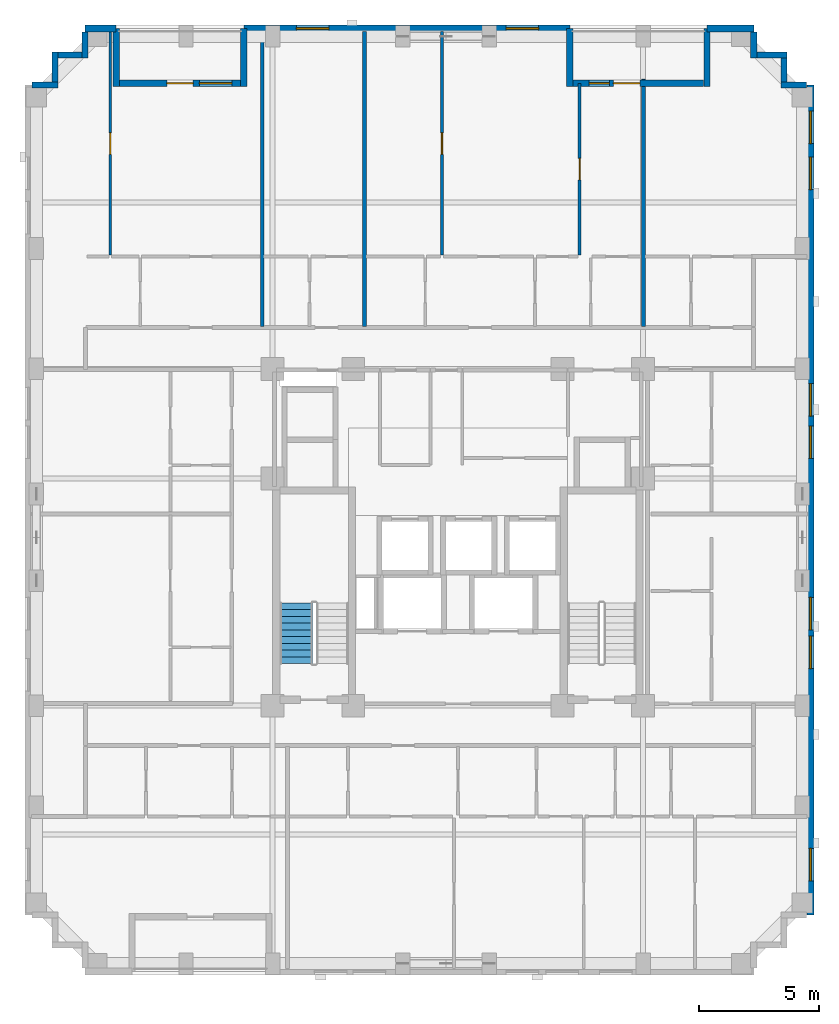
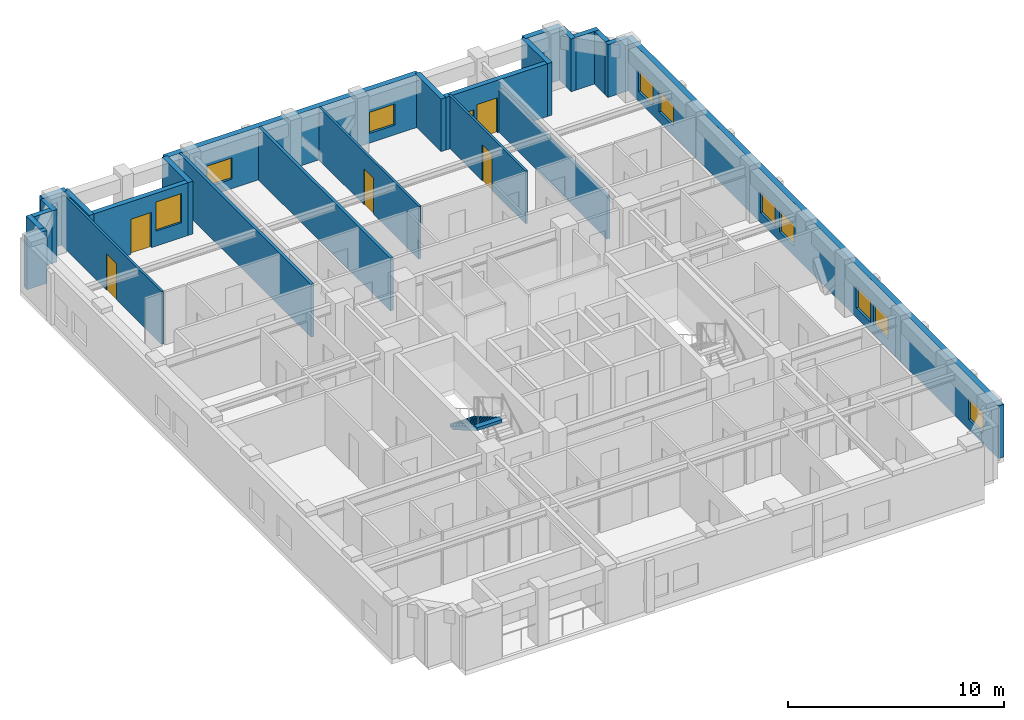
# One storey, part 7 of 11: 24 walls, 11 windows, 5 doors, 1 stair flight, 16 openings, 1 element without a shape of its own.
"""IFC4 building model written with IfcOpenShell, lengths in metres."""

import ifcopenshell
import ifcopenshell.guid

model = None  # the IFC model being written
_history = None  # IfcOwnerHistory: only IFC2X3 demands one
_inside = {}  # id of a spatial element -> (the spatial element, [elements in it])
_under = {}  # id of a project, library or spatial element -> (it, [spatial elements below it])
_declared = {}  # id of a project -> (the project, [libraries it declares])
_typed = {}  # id of a type object -> (the type object, [elements of that type])
_made_of = {}  # id of a material, layer set ... -> (it, [elements and type objects made of it])


def new_model(schema):
    """Start an empty IFC model of exactly this schema.

    Asked for "IFC4X3", IfcOpenShell would pick the latest addendum, in which some entities
    have other attributes; the version numbers below select the first issue.
    IFC2X3 requires an IfcOwnerHistory on every rooted entity: one is made here for all.
    """
    global model, _history
    if schema == "IFC4X3":
        model = ifcopenshell.file(schema_version=(4, 3, 0, 0))
    else:
        model = ifcopenshell.file(schema=schema)
    _inside.clear()
    _under.clear()
    _declared.clear()
    _typed.clear()
    _made_of.clear()
    _history = None
    if model.schema == "IFC2X3":
        org = make("IfcOrganization", Name="unknown")
        user = make(
            "IfcPersonAndOrganization",
            ThePerson=make("IfcPerson", FamilyName="unknown"),
            TheOrganization=org,
        )
        app = make(
            "IfcApplication",
            ApplicationDeveloper=org,
            Version="unknown",
            ApplicationFullName="unknown",
            ApplicationIdentifier="unknown",
        )
        _history = make(
            "IfcOwnerHistory",
            OwningUser=user,
            OwningApplication=app,
            ChangeAction="ADDED",
            CreationDate=0,
        )
    return model


def make(cls, **values):
    """One entity of the class cls with the attributes given. An attribute that is None is left unset."""
    return model.create_entity(
        cls, **{name: value for name, value in values.items() if value is not None}
    )


def rooted(cls, **values):
    """An entity with a GlobalId (a new one), such as an element, a storey or a relation."""
    return make(cls, GlobalId=ifcopenshell.guid.new(), OwnerHistory=_history, **values)


def si_unit(unit_type, name, prefix=None):
    """IfcSIUnit, for example si_unit("LENGTHUNIT", "METRE", prefix="MILLI")."""
    return make("IfcSIUnit", UnitType=unit_type, Prefix=prefix, Name=name)


def derived_unit(unit_type, elements):
    """IfcDerivedUnit: a product of units, each with its exponent."""
    return make(
        "IfcDerivedUnit",
        Elements=[
            make("IfcDerivedUnitElement", Unit=unit, Exponent=power)
            for unit, power in elements
        ],
        UnitType=unit_type,
    )


def assignment(units):
    """IfcUnitAssignment: the units of a project."""
    return None if units is None else make("IfcUnitAssignment", Units=units)


def point(xyz):
    """IfcCartesianPoint."""
    return None if xyz is None else make("IfcCartesianPoint", Coordinates=xyz)


def direction(xyz):
    """IfcDirection."""
    return None if xyz is None else make("IfcDirection", DirectionRatios=xyz)


def frame(location, z_axis=None, x_axis=None):
    """IfcAxis2Placement3D, a coordinate frame: its origin and axes. An axis left out is left unset."""
    return make(
        "IfcAxis2Placement3D",
        Location=point(location),
        Axis=direction(z_axis),
        RefDirection=direction(x_axis),
    )


def frame_2d(location, x_axis=None):
    """IfcAxis2Placement2D, a coordinate frame in the plane: its origin and x axis."""
    return make(
        "IfcAxis2Placement2D", Location=point(location), RefDirection=direction(x_axis)
    )


def origin():
    """The frame at (0, 0, 0) with its axes left unset."""
    return frame((0.0, 0.0, 0.0))


def place(relative_to, where):
    """IfcLocalPlacement: puts the frame where relative to a parent placement (None: the world)."""
    return make(
        "IfcLocalPlacement", PlacementRelTo=relative_to, RelativePlacement=where
    )


def context(
    kind, dimensions, precision=None, world=None, true_north=None, identifier=None
):
    """IfcGeometricRepresentationContext, for example the 3D "Model" context."""
    return make(
        "IfcGeometricRepresentationContext",
        ContextIdentifier=identifier,
        ContextType=kind,
        CoordinateSpaceDimension=dimensions,
        Precision=precision,
        WorldCoordinateSystem=world,
        TrueNorth=true_north,
    )


def subcontext(parent, identifier, kind, view, scale=None):
    """IfcGeometricRepresentationSubContext, for example "Body" below "Model"."""
    return make(
        "IfcGeometricRepresentationSubContext",
        ContextIdentifier=identifier,
        ContextType=kind,
        ParentContext=parent,
        TargetScale=scale,
        TargetView=view,
    )


def project(units=None, contexts=None):
    """IfcProject with its units and contexts."""
    return rooted(
        "IfcProject",
        Name="project",
        RepresentationContexts=contexts,
        UnitsInContext=assignment(units),
    )


def spatial(cls, under=None, at=None, **own):
    """A site, building, storey or space (cls), placed at a placement, below another one or the project."""
    s = rooted(cls, ObjectPlacement=at, **own)
    if under is not None:
        _under.setdefault(under.id(), (under, []))[1].append(s)
    return s


def polyline(points):
    """IfcPolyline through the points."""
    return make("IfcPolyline", Points=[point(p) for p in points])


def profile(cls, at=None, kind="AREA", **sizes):
    """A parametric profile (cls). Its sizes go by their IFC names, for example OverallWidth=200.0."""
    return make(cls, ProfileType=kind, Position=at, **sizes)


def rectangle(**sizes):
    """IfcRectangleProfileDef."""
    return profile("IfcRectangleProfileDef", **sizes)


def outline(outer, holes=None, kind="AREA"):
    """IfcArbitraryClosedProfileDef: a profile drawn as a closed curve; with holes, ...WithVoids."""
    if holes is None:
        return make("IfcArbitraryClosedProfileDef", ProfileType=kind, OuterCurve=outer)
    return make(
        "IfcArbitraryProfileDefWithVoids",
        ProfileType=kind,
        OuterCurve=outer,
        InnerCurves=holes,
    )


def extrude(swept, where, along, depth):
    """IfcExtrudedAreaSolid: the profile swept, set in the frame where, extruded along a direction by depth."""
    return make(
        "IfcExtrudedAreaSolid",
        SweptArea=swept,
        Position=where,
        ExtrudedDirection=direction(along),
        Depth=depth,
    )


def shape(context_of_items, identifier, shape_type, items):
    """IfcShapeRepresentation: the items that make up one representation, for example the "Body"."""
    return make(
        "IfcShapeRepresentation",
        ContextOfItems=context_of_items,
        RepresentationIdentifier=identifier,
        RepresentationType=shape_type,
        Items=items,
    )


def material(Name=None, Category=None):
    """IfcMaterial."""
    return make("IfcMaterial", Name=Name, Category=Category)


def layer(
    of_material, thickness, ventilated=None, Name=None, Category=None, Priority=None
):
    """IfcMaterialLayer: one layer of a wall or slab, of a material (None: an air gap)."""
    return make(
        "IfcMaterialLayer",
        Material=of_material,
        LayerThickness=thickness,
        IsVentilated=ventilated,
        Name=Name,
        Category=Category,
        Priority=Priority,
    )


def layer_set(layers, Name=None):
    """IfcMaterialLayerSet."""
    return make("IfcMaterialLayerSet", MaterialLayers=layers, LayerSetName=Name)


def made_of(thing, what):
    """Note that an element or type object is made of a material, layer set ...; save() writes the relation."""
    if what is not None:
        _made_of.setdefault(what.id(), (what, []))[1].append(thing)
    return thing


def type_object(cls, material=None, **own):
    """A type object (cls), such as IfcWallType, which elements share."""
    return made_of(rooted(cls, **own), material)


def element(
    cls,
    number,
    at=None,
    inside=None,
    cuts=None,
    type_object=None,
    material=None,
    context=None,
    identifier="Body",
    shape_type=None,
    held_by="IfcProductDefinitionShape",
    body=None,
    shapes=None,
    **own,
):
    """One element of the class cls, such as IfcWall. Its Tag is "e" and its number.

    at: its placement. inside: the storey or other place that contains it. cuts: it is an
    opening in that element (IfcRelVoidsElement). A single representation is given by context,
    identifier, shape_type and body (its items); several are given by shapes. held_by: the class
    of the entity that holds the representations. save() writes the other relations.
    """
    e = rooted(cls, Tag="e%d" % number, ObjectPlacement=at, **own)
    if body is not None:
        shapes = [shape(context, identifier, shape_type, body)]
    if shapes is not None:
        e.Representation = make(held_by, Representations=shapes)
    if inside is not None:
        _inside.setdefault(inside.id(), (inside, []))[1].append(e)
    if cuts is not None:
        rooted(
            "IfcRelVoidsElement", RelatingBuildingElement=cuts, RelatedOpeningElement=e
        )
    if type_object is not None:
        _typed.setdefault(type_object.id(), (type_object, []))[1].append(e)
    return made_of(e, material)


def fill(opening, filler):
    """IfcRelFillsElement: the door or window that sits in an opening."""
    return rooted(
        "IfcRelFillsElement",
        RelatingOpeningElement=opening,
        RelatedBuildingElement=filler,
    )


def aggregate(whole, parts):
    """IfcRelAggregates: a whole, such as a stair, and the parts it consists of."""
    return rooted("IfcRelAggregates", RelatingObject=whole, RelatedObjects=parts)


def save(model, path):
    """Write the relations noted so far, then the file.

    IfcRelAggregates (storeys below a building ...), IfcRelContainedInSpatialStructure (elements
    in a storey), IfcRelDefinesByType, IfcRelAssociatesMaterial and IfcRelDeclares: one each for
    every whole, place, type object, material and project.
    """
    for whole, parts in _under.values():
        aggregate(whole, parts)
    for where, things in _inside.values():
        rooted(
            "IfcRelContainedInSpatialStructure",
            RelatedElements=things,
            RelatingStructure=where,
        )
    for kind, things in _typed.values():
        rooted("IfcRelDefinesByType", RelatedObjects=things, RelatingType=kind)
    for what, things in _made_of.values():
        rooted("IfcRelAssociatesMaterial", RelatedObjects=things, RelatingMaterial=what)
    for by, libraries in _declared.values():
        rooted("IfcRelDeclares", RelatingContext=by, RelatedDefinitions=libraries)
    model.write(path)


model = new_model("IFC4")

# Units and contexts
model_context = context("Model", 3, precision=1e-05, world=origin(), true_north=direction((0.0, 1.0)))
body_context = subcontext(model_context, "Body", "Model", "MODEL_VIEW")
ifc_project = project(units=[si_unit("LENGTHUNIT", "METRE"), si_unit("AREAUNIT", "SQUARE_METRE"), si_unit("VOLUMEUNIT", "CUBIC_METRE"), si_unit("PLANEANGLEUNIT", "RADIAN"), si_unit("MASSUNIT", "GRAM", prefix="KILO"), derived_unit("THERMALTRANSMITTANCEUNIT", [(si_unit("MASSUNIT", "GRAM", prefix="KILO"), 1), (si_unit("TIMEUNIT", "SECOND"), -3), (si_unit("THERMODYNAMICTEMPERATUREUNIT", "KELVIN"), -1)])], contexts=[model_context])

# Site, building, storey
site_placement = place(None, origin())
site = spatial("IfcSite", under=ifc_project, at=site_placement, CompositionType="ELEMENT")
building_placement = place(site_placement, origin())
building = spatial("IfcBuilding", under=site, at=building_placement, Name="Korrvale Station Residences", CompositionType="ELEMENT")
storey_placement = place(building_placement, frame((0.0, 0.0, 163.39990234375)))
storey = spatial("IfcBuildingStorey", under=building, at=storey_placement, Name="L47", CompositionType="ELEMENT", Elevation=163.39990234375)

# Wall
ifc_material_1 = material(Name="Precast concrete C45/55", Category="concrete")
ifc_layer_1 = layer(ifc_material_1, 0.260009765625, Name="Precast concrete C45/55")
ifc_layer_set_1 = layer_set([ifc_layer_1], Name="Precast concrete C45/55")
wall_type_1 = type_object("IfcWallType", Name="WAL-EXT-LOG260", PredefinedType="SOLIDWALL", material=ifc_layer_set_1)
wall_1_placement = place(storey_placement, frame((11.300048828125, 43.139892578125, 0.0), z_axis=(0.0, 0.0, 1.0), x_axis=(0.0, -1.0, 0.0)))
element("IfcWall", 1, at=wall_1_placement, inside=storey, type_object=wall_type_1, Name="L47 Recessed Loggia Wall BAL-L47-N2-L", PredefinedType="SOLIDWALL", context=body_context, shape_type="SweptSolid", body=[
    extrude(rectangle(XDim=2.39990234375, YDim=0.260009765625, at=frame_2d((1.199951171875, 0.0))), origin(), (0.0, 0.0, 1.0), 2.989990234375),
])

# Wall, openings, door, window
wall_2_placement = place(storey_placement, frame((11.43408203125, 40.8701171875, 0.0), z_axis=(0.0, 0.0, 1.0), x_axis=(1.0, 0.0, 0.0)))
wall_2 = element("IfcWall", 2, at=wall_2_placement, inside=storey, type_object=wall_type_1, Name="L47 Recessed Loggia Wall BAL-L47-N2-B", PredefinedType="SOLIDWALL", context=body_context, shape_type="SweptSolid", body=[
    extrude(rectangle(XDim=5.031982421875, YDim=0.260009765625, at=frame_2d((2.51611328125, 0.0))), origin(), (0.0, 0.0, 1.0), 2.989990234375),
])
opening_1_placement = place(wall_2_placement, frame((1.966064453125, 0.0, 0.0)))
opening_1 = element("IfcOpeningElement", 3, at=opening_1_placement, cuts=wall_2, Name="Opening BD-01", PredefinedType="OPENING", context=body_context, shape_type="SweptSolid", body=[
    extrude(rectangle(XDim=1.10009765625, YDim=2.0, at=frame_2d((0.550048828125, 1.0))), frame((0.0, 0.14013671875, 0.0), z_axis=(0.0, -1.0, 0.0), x_axis=(1.0, 0.0, 0.0)), (0.0, 0.0, 1.0), 0.280029296875),
])
opening_2_placement = place(wall_2_placement, frame((3.325927734375, 0.0, 0.85009765625)))
opening_2 = element("IfcOpeningElement", 4, at=opening_2_placement, cuts=wall_2, Name="Opening W-06", PredefinedType="OPENING", context=body_context, shape_type="SweptSolid", body=[
    extrude(rectangle(XDim=1.35009765625, YDim=1.64990234375, at=frame_2d((0.675048828125, 0.824951171875))), frame((0.0, 0.14013671875, 0.0), z_axis=(0.0, -1.0, 0.0), x_axis=(1.0, 0.0, 0.0)), (0.0, 0.0, 1.0), 0.280029296875),
])
ifc_material_2 = material(Name="Exterior thermally broken aluminium glazed balcony door", Category="aluminium")
door_type_1 = type_object("IfcDoorType", Name="DR-EXT-BAL", OperationType="NOTDEFINED", PredefinedType="DOOR", material=ifc_material_2)
door_1_placement = place(opening_1_placement, origin())
door_1 = element("IfcDoor", 5, at=door_1_placement, inside=storey, type_object=door_type_1, Name="L47 Loggia Balcony Door BAL-L47-N2", OperationType="SINGLE_SWING_LEFT", OverallHeight=2.0, OverallWidth=1.10009765625, PredefinedType="DOOR", context=body_context, shape_type="SweptSolid", body=[
    extrude(rectangle(XDim=1.10009765625, YDim=2.0, at=frame_2d((0.550048828125, 1.0))), frame((0.0, 0.02490234375, 0.0), z_axis=(0.0, -1.0, 0.0), x_axis=(1.0, 0.0, 0.0)), (0.0, 0.0, 1.0), 0.050048828125),
])
fill(opening_1, door_1)
ifc_material_3 = material(Name="Thermally broken aluminium frame with triple low-e glazing", Category="aluminium")
window_type_1 = type_object("IfcWindowType", Name="WIN-W06", PartitioningType="SINGLE_PANEL", PredefinedType="WINDOW", material=ifc_material_3)
window_1_placement = place(opening_2_placement, origin())
window_1 = element("IfcWindow", 6, at=window_1_placement, inside=storey, type_object=window_type_1, Name="L47 Punched Window 10", OverallHeight=1.64990234375, OverallWidth=1.35009765625, PartitioningType="SINGLE_PANEL", PredefinedType="WINDOW", context=body_context, shape_type="SweptSolid", body=[
    extrude(rectangle(XDim=1.35009765625, YDim=1.64990234375, at=frame_2d((0.675048828125, 0.824951171875))), frame((0.0, 0.030029296875, 0.0), z_axis=(0.0, -1.0, 0.0), x_axis=(1.0, 0.0, 0.0)), (0.0, 0.0, 1.0), 0.06005859375),
])
fill(opening_2, window_1)

# Walls
for number, where, z_axis, x_axis, name in (
    (7, (16.60009765625, 40.739990234375, 0.0), (0.0, 0.0, 1.0), (0.0, 1.0, 0.0), "L47 Recessed Loggia Wall BAL-L47-N2-R"),
    (8, (30.14990234375, 43.139892578125, 0.0), (0.0, 0.0, 1.0), (0.0, -1.0, 0.0), "L47 Recessed Loggia Wall BAL-L47-N1-L"),
):
    element("IfcWall", number, at=place(storey_placement, frame(where, z_axis=z_axis, x_axis=x_axis)), inside=storey, type_object=wall_type_1, Name=name, PredefinedType="SOLIDWALL", context=body_context, shape_type="SweptSolid", body=[
        extrude(rectangle(XDim=2.39990234375, YDim=0.260009765625, at=frame_2d((1.199951171875, 0.0))), origin(), (0.0, 0.0, 1.0), 2.989990234375),
    ])

# Wall, openings, door, window
wall_3_placement = place(storey_placement, frame((30.283935546875, 40.8701171875, 0.0), z_axis=(0.0, 0.0, 1.0), x_axis=(1.0, 0.0, 0.0)))
wall_3 = element("IfcWall", 9, at=wall_3_placement, inside=storey, type_object=wall_type_1, Name="L47 Recessed Loggia Wall BAL-L47-N1-B", PredefinedType="SOLIDWALL", context=body_context, shape_type="SweptSolid", body=[
    extrude(rectangle(XDim=5.43212890625, YDim=0.260009765625, at=frame_2d((2.716064453125, 0.0))), origin(), (0.0, 0.0, 1.0), 2.989990234375),
])
opening_3_placement = place(wall_3_placement, frame((1.676025390625, 0.0, 0.0)))
opening_3 = element("IfcOpeningElement", 10, at=opening_3_placement, cuts=wall_3, Name="Opening BD-01", PredefinedType="OPENING", context=body_context, shape_type="SweptSolid", body=[
    extrude(rectangle(XDim=1.10009765625, YDim=2.0, at=frame_2d((0.550048828125, 1.0))), frame((0.0, 0.14013671875, 0.0), z_axis=(0.0, -1.0, 0.0), x_axis=(1.0, 0.0, 0.0)), (0.0, 0.0, 1.0), 0.280029296875),
])
opening_4_placement = place(wall_3_placement, frame((0.666015625, 0.0, 0.550048828125)))
opening_4 = element("IfcOpeningElement", 11, at=opening_4_placement, cuts=wall_3, Name="Opening W-11", PredefinedType="OPENING", context=body_context, shape_type="SweptSolid", body=[
    extrude(rectangle(XDim=0.85009765625, YDim=1.199951171875, at=frame_2d((0.425048828125, 0.60009765625))), frame((0.0, 0.14013671875, 0.0), z_axis=(0.0, -1.0, 0.0), x_axis=(1.0, 0.0, 0.0)), (0.0, 0.0, 1.0), 0.280029296875),
])
door_2_placement = place(opening_3_placement, origin())
door_2 = element("IfcDoor", 12, at=door_2_placement, inside=storey, type_object=door_type_1, Name="L47 Loggia Balcony Door BAL-L47-N1", OperationType="SINGLE_SWING_RIGHT", OverallHeight=2.0, OverallWidth=1.10009765625, PredefinedType="DOOR", context=body_context, shape_type="SweptSolid", body=[
    extrude(rectangle(XDim=1.10009765625, YDim=2.0, at=frame_2d((0.550048828125, 1.0))), frame((0.0, 0.02490234375, 0.0), z_axis=(0.0, -1.0, 0.0), x_axis=(1.0, 0.0, 0.0)), (0.0, 0.0, 1.0), 0.050048828125),
])
fill(opening_3, door_2)
window_type_2 = type_object("IfcWindowType", Name="WIN-W11", PartitioningType="SINGLE_PANEL", PredefinedType="WINDOW", material=ifc_material_3)
window_2_placement = place(opening_4_placement, origin())
window_2 = element("IfcWindow", 13, at=window_2_placement, inside=storey, type_object=window_type_2, Name="L47 Punched Window 13", OverallHeight=1.199951171875, OverallWidth=0.85009765625, PartitioningType="SINGLE_PANEL", PredefinedType="WINDOW", context=body_context, shape_type="SweptSolid", body=[
    extrude(rectangle(XDim=0.85009765625, YDim=1.199951171875, at=frame_2d((0.425048828125, 0.60009765625))), frame((0.0, 0.030029296875, 0.0), z_axis=(0.0, -1.0, 0.0), x_axis=(1.0, 0.0, 0.0)), (0.0, 0.0, 1.0), 0.06005859375),
])
fill(opening_4, window_2)

# Walls
wall_4_placement = place(storey_placement, frame((35.85009765625, 40.739990234375, 0.0), z_axis=(0.0, 0.0, 1.0), x_axis=(0.0, 1.0, 0.0)))
element("IfcWall", 14, at=wall_4_placement, inside=storey, type_object=wall_type_1, Name="L47 Recessed Loggia Wall BAL-L47-N1-R", PredefinedType="SOLIDWALL", context=body_context, shape_type="SweptSolid", body=[
    extrude(rectangle(XDim=2.39990234375, YDim=0.260009765625, at=frame_2d((1.199951171875, 0.0))), origin(), (0.0, 0.0, 1.0), 2.989990234375),
])
wall_5_placement = place(storey_placement, frame((7.802001953125, 40.800048828125, 0.0), z_axis=(0.0, 0.0, 1.0), x_axis=(1.0, 0.0, 0.0)))
element("IfcWall", 15, at=wall_5_placement, inside=storey, type_object=wall_type_1, Name="L47 Serrated Corner Precast Step NW-1", PredefinedType="SOLIDWALL", context=body_context, shape_type="SweptSolid", body=[
    extrude(rectangle(XDim=1.077880859375, YDim=0.260009765625, at=frame_2d((0.5390625, 0.0))), origin(), (0.0, 0.0, 1.0), 2.989990234375),
])
wall_6_placement = place(storey_placement, frame((8.75, 40.931884765625, 0.0), z_axis=(0.0, 0.0, 1.0), x_axis=(0.0, 1.0, 0.0)))
element("IfcWall", 16, at=wall_6_placement, inside=storey, type_object=wall_type_1, Name="L47 Serrated Corner Precast Step NW-2", PredefinedType="SOLIDWALL", context=body_context, shape_type="SweptSolid", body=[
    extrude(rectangle(XDim=1.248046875, YDim=0.260009765625, at=frame_2d((0.6240234375, 0.0))), origin(), (0.0, 0.0, 1.0), 2.989990234375),
])
wall_7_placement = place(storey_placement, frame((8.882080078125, 42.050048828125, 0.0), z_axis=(0.0, 0.0, 1.0), x_axis=(1.0, 0.0, 0.0)))
element("IfcWall", 17, at=wall_7_placement, inside=storey, type_object=wall_type_1, Name="L47 Serrated Corner Precast Step NW-3", PredefinedType="SOLIDWALL", context=body_context, shape_type="SweptSolid", body=[
    extrude(rectangle(XDim=0.98583984375, YDim=0.260009765625, at=frame_2d((0.492919921875, 0.0))), origin(), (0.0, 0.0, 1.0), 2.989990234375),
])
for number, where, z_axis, x_axis, name in (
    (18, (10.0, 41.919921875, 0.0), (0.0, 0.0, 1.0), (0.0, 1.0, 0.0), "L47 Serrated Corner Precast Step NW-4"),
    (19, (37.800048828125, 42.998046875, 0.0), (0.0, 0.0, 1.0), (0.0, -1.0, 0.0), "L47 Serrated Corner Precast Step NE-1"),
):
    element("IfcWall", number, at=place(storey_placement, frame(where, z_axis=z_axis, x_axis=x_axis)), inside=storey, type_object=wall_type_1, Name=name, PredefinedType="SOLIDWALL", context=body_context, shape_type="SweptSolid", body=[
        extrude(rectangle(XDim=1.078125, YDim=0.260009765625, at=frame_2d((0.5390625, 0.0))), origin(), (0.0, 0.0, 1.0), 2.989990234375),
    ])
wall_8_placement = place(storey_placement, frame((37.931884765625, 42.050048828125, 0.0), z_axis=(0.0, 0.0, 1.0), x_axis=(1.0, 0.0, 0.0)))
element("IfcWall", 20, at=wall_8_placement, inside=storey, type_object=wall_type_1, Name="L47 Serrated Corner Precast Step NE-2", PredefinedType="SOLIDWALL", context=body_context, shape_type="SweptSolid", body=[
    extrude(rectangle(XDim=1.248046875, YDim=0.260009765625, at=frame_2d((0.6240234375, 0.0))), origin(), (0.0, 0.0, 1.0), 2.989990234375),
])
wall_9_placement = place(storey_placement, frame((39.050048828125, 41.91796875, 0.0), z_axis=(0.0, 0.0, 1.0), x_axis=(0.0, -1.0, 0.0)))
element("IfcWall", 21, at=wall_9_placement, inside=storey, type_object=wall_type_1, Name="L47 Serrated Corner Precast Step NE-3", PredefinedType="SOLIDWALL", context=body_context, shape_type="SweptSolid", body=[
    extrude(rectangle(XDim=0.986083984375, YDim=0.260009765625, at=frame_2d((0.4931640625, 0.0))), origin(), (0.0, 0.0, 1.0), 2.989990234375),
])
wall_10_placement = place(storey_placement, frame((38.919921875, 40.800048828125, 0.0), z_axis=(0.0, 0.0, 1.0), x_axis=(1.0, 0.0, 0.0)))
element("IfcWall", 22, at=wall_10_placement, inside=storey, type_object=wall_type_1, Name="L47 Serrated Corner Precast Step NE-4", PredefinedType="SOLIDWALL", context=body_context, shape_type="SweptSolid", body=[
    extrude(rectangle(XDim=1.078125, YDim=0.260009765625, at=frame_2d((0.5390625, 0.0))), origin(), (0.0, 0.0, 1.0), 2.989990234375),
])
ifc_layer_2 = layer(ifc_material_1, 0.300048828125, Name="Precast concrete C45/55")
ifc_layer_set_2 = layer_set([ifc_layer_2], Name="Precast concrete C45/55")
wall_type_2 = type_object("IfcWallType", Name="WAL-EXT-PC300", PredefinedType="SOLIDWALL", material=ifc_layer_set_2)
wall_11_placement = place(storey_placement, frame((10.0, 43.14990234375, 0.0), z_axis=(0.0, 0.0, 1.0), x_axis=(1.0, 0.0, 0.0)))
element("IfcWall", 23, at=wall_11_placement, inside=storey, type_object=wall_type_2, Name="L47 North Exterior Precast Wall 1", PredefinedType="SOLIDWALL", context=body_context, shape_type="SweptSolid", body=[
    extrude(rectangle(XDim=1.300048828125, YDim=0.300048828125, at=frame_2d((0.64990234375, 0.0))), origin(), (0.0, 0.0, 1.0), 2.989990234375),
])

# Wall, openings, windows
wall_12_placement = place(storey_placement, frame((16.60009765625, 43.14990234375, 0.0), z_axis=(0.0, 0.0, 1.0), x_axis=(1.0, 0.0, 0.0)))
wall_12 = element("IfcWall", 24, at=wall_12_placement, inside=storey, type_object=wall_type_2, Name="L47 North Exterior Precast Wall 2", PredefinedType="SOLIDWALL", context=body_context, shape_type="SweptSolid", body=[
    extrude(rectangle(XDim=13.5498046875, YDim=0.300048828125, at=frame_2d((6.77490234375, 0.0))), origin(), (0.0, 0.0, 1.0), 2.989990234375),
])
opening_5_placement = place(wall_12_placement, frame((2.18603515625, 0.0, 0.550048828125)))
opening_5 = element("IfcOpeningElement", 25, at=opening_5_placement, cuts=wall_12, Name="Opening W-10", PredefinedType="OPENING", context=body_context, shape_type="SweptSolid", body=[
    extrude(rectangle(XDim=1.35009765625, YDim=1.199951171875, at=frame_2d((0.675048828125, 0.60009765625))), frame((0.0, 0.16015625, 0.0), z_axis=(0.0, -1.0, 0.0), x_axis=(1.0, 0.0, 0.0)), (0.0, 0.0, 1.0), 0.320068359375),
])
opening_6_placement = place(wall_12_placement, frame((10.89990234375, 0.0, 0.550048828125)))
opening_6 = element("IfcOpeningElement", 26, at=opening_6_placement, cuts=wall_12, Name="Opening W-10", PredefinedType="OPENING", context=body_context, shape_type="SweptSolid", body=[
    extrude(rectangle(XDim=1.35009765625, YDim=1.199951171875, at=frame_2d((0.675048828125, 0.60009765625))), frame((0.0, 0.16015625, 0.0), z_axis=(0.0, -1.0, 0.0), x_axis=(1.0, 0.0, 0.0)), (0.0, 0.0, 1.0), 0.320068359375),
])
window_type_3 = type_object("IfcWindowType", Name="WIN-W10", PartitioningType="SINGLE_PANEL", PredefinedType="WINDOW", material=ifc_material_3)
window_3_placement = place(opening_5_placement, origin())
window_3 = element("IfcWindow", 27, at=window_3_placement, inside=storey, type_object=window_type_3, Name="L47 Punched Window 11", OverallHeight=1.199951171875, OverallWidth=1.35009765625, PartitioningType="SINGLE_PANEL", PredefinedType="WINDOW", context=body_context, shape_type="SweptSolid", body=[
    extrude(rectangle(XDim=1.35009765625, YDim=1.199951171875, at=frame_2d((0.675048828125, 0.60009765625))), frame((0.0, 0.030029296875, 0.0), z_axis=(0.0, -1.0, 0.0), x_axis=(1.0, 0.0, 0.0)), (0.0, 0.0, 1.0), 0.06005859375),
])
fill(opening_5, window_3)
window_4_placement = place(opening_6_placement, origin())
window_4 = element("IfcWindow", 28, at=window_4_placement, inside=storey, type_object=window_type_3, Name="L47 Punched Window 12", OverallHeight=1.199951171875, OverallWidth=1.35009765625, PartitioningType="SINGLE_PANEL", PredefinedType="WINDOW", context=body_context, shape_type="SweptSolid", body=[
    extrude(rectangle(XDim=1.35009765625, YDim=1.199951171875, at=frame_2d((0.675048828125, 0.60009765625))), frame((0.0, 0.030029296875, 0.0), z_axis=(0.0, -1.0, 0.0), x_axis=(1.0, 0.0, 0.0)), (0.0, 0.0, 1.0), 0.06005859375),
])
fill(opening_6, window_4)

# Wall
wall_13_placement = place(storey_placement, frame((35.85009765625, 43.14990234375, 0.0), z_axis=(0.0, 0.0, 1.0), x_axis=(1.0, 0.0, 0.0)))
element("IfcWall", 29, at=wall_13_placement, inside=storey, type_object=wall_type_2, Name="L47 North Exterior Precast Wall 3", PredefinedType="SOLIDWALL", context=body_context, shape_type="SweptSolid", body=[
    extrude(rectangle(XDim=1.949951171875, YDim=0.300048828125, at=frame_2d((0.97509765625, 0.0))), origin(), (0.0, 0.0, 1.0), 2.989990234375),
])

# Wall, openings, windows
wall_14_placement = place(storey_placement, frame((40.14990234375, 40.800048828125, 0.0), z_axis=(0.0, 0.0, 1.0), x_axis=(0.0, -1.0, 0.0)))
wall_14 = element("IfcWall", 30, at=wall_14_placement, inside=storey, type_object=wall_type_2, Name="L47 East Exterior Precast Wall 1", PredefinedType="SOLIDWALL", context=body_context, shape_type="SweptSolid", body=[
    extrude(rectangle(XDim=34.5, YDim=0.300048828125, at=frame_2d((17.25, 0.0))), origin(), (0.0, 0.0, 1.0), 2.989990234375),
])
opening_7_placement = place(wall_14_placement, frame((31.72509765625, 0.0, 0.550048828125)))
opening_7 = element("IfcOpeningElement", 31, at=opening_7_placement, cuts=wall_14, Name="Opening W-10", PredefinedType="OPENING", context=body_context, shape_type="SweptSolid", body=[
    extrude(rectangle(XDim=1.35009765625, YDim=1.199951171875, at=frame_2d((0.675048828125, 0.60009765625))), frame((0.0, 0.16015625, 0.0), z_axis=(0.0, -1.0, 0.0), x_axis=(1.0, 0.0, 0.0)), (0.0, 0.0, 1.0), 0.320068359375),
])
opening_8_placement = place(wall_14_placement, frame((3.0, 0.0, 0.550048828125)))
opening_8 = element("IfcOpeningElement", 32, at=opening_8_placement, cuts=wall_14, Name="Opening W-10", PredefinedType="OPENING", context=body_context, shape_type="SweptSolid", body=[
    extrude(rectangle(XDim=1.35009765625, YDim=1.199951171875, at=frame_2d((0.675048828125, 0.60009765625))), frame((0.0, 0.16015625, 0.0), z_axis=(0.0, -1.0, 0.0), x_axis=(1.0, 0.0, 0.0)), (0.0, 0.0, 1.0), 0.320068359375),
])
opening_9_placement = place(wall_14_placement, frame((1.0849609375, 0.0, 0.550048828125)))
opening_9 = element("IfcOpeningElement", 33, at=opening_9_placement, cuts=wall_14, Name="Opening W-10", PredefinedType="OPENING", context=body_context, shape_type="SweptSolid", body=[
    extrude(rectangle(XDim=1.35009765625, YDim=1.199951171875, at=frame_2d((0.675048828125, 0.60009765625))), frame((0.0, 0.16015625, 0.0), z_axis=(0.0, -1.0, 0.0), x_axis=(1.0, 0.0, 0.0)), (0.0, 0.0, 1.0), 0.320068359375),
])
opening_10_placement = place(wall_14_placement, frame((21.300048828125, 0.0, 0.550048828125)))
opening_10 = element("IfcOpeningElement", 34, at=opening_10_placement, cuts=wall_14, Name="Opening W-10", PredefinedType="OPENING", context=body_context, shape_type="SweptSolid", body=[
    extrude(rectangle(XDim=1.35009765625, YDim=1.199951171875, at=frame_2d((0.675048828125, 0.60009765625))), frame((0.0, 0.16015625, 0.0), z_axis=(0.0, -1.0, 0.0), x_axis=(1.0, 0.0, 0.0)), (0.0, 0.0, 1.0), 0.320068359375),
])
opening_11_placement = place(wall_14_placement, frame((22.909912109375, 0.0, 0.550048828125)))
opening_11 = element("IfcOpeningElement", 35, at=opening_11_placement, cuts=wall_14, Name="Opening W-10", PredefinedType="OPENING", context=body_context, shape_type="SweptSolid", body=[
    extrude(rectangle(XDim=1.35009765625, YDim=1.199951171875, at=frame_2d((0.675048828125, 0.60009765625))), frame((0.0, 0.16015625, 0.0), z_axis=(0.0, -1.0, 0.0), x_axis=(1.0, 0.0, 0.0)), (0.0, 0.0, 1.0), 0.320068359375),
])
opening_12_placement = place(wall_14_placement, frame((14.175048828125, 0.0, 0.550048828125)))
opening_12 = element("IfcOpeningElement", 36, at=opening_12_placement, cuts=wall_14, Name="Opening W-10", PredefinedType="OPENING", context=body_context, shape_type="SweptSolid", body=[
    extrude(rectangle(XDim=1.35009765625, YDim=1.199951171875, at=frame_2d((0.675048828125, 0.60009765625))), frame((0.0, 0.16015625, 0.0), z_axis=(0.0, -1.0, 0.0), x_axis=(1.0, 0.0, 0.0)), (0.0, 0.0, 1.0), 0.320068359375),
])
opening_13_placement = place(wall_14_placement, frame((12.409912109375, 0.0, 0.550048828125)))
opening_13 = element("IfcOpeningElement", 37, at=opening_13_placement, cuts=wall_14, Name="Opening W-10", PredefinedType="OPENING", context=body_context, shape_type="SweptSolid", body=[
    extrude(rectangle(XDim=1.35009765625, YDim=1.199951171875, at=frame_2d((0.675048828125, 0.60009765625))), frame((0.0, 0.16015625, 0.0), z_axis=(0.0, -1.0, 0.0), x_axis=(1.0, 0.0, 0.0)), (0.0, 0.0, 1.0), 0.320068359375),
])
window_5_placement = place(opening_7_placement, origin())
window_5 = element("IfcWindow", 38, at=window_5_placement, inside=storey, type_object=window_type_3, Name="L47 Punched Window 07", OverallHeight=1.199951171875, OverallWidth=1.35009765625, PartitioningType="SINGLE_PANEL", PredefinedType="WINDOW", context=body_context, shape_type="SweptSolid", body=[
    extrude(rectangle(XDim=1.35009765625, YDim=1.199951171875, at=frame_2d((0.675048828125, 0.60009765625))), frame((0.0, 0.030029296875, 0.0), z_axis=(0.0, -1.0, 0.0), x_axis=(1.0, 0.0, 0.0)), (0.0, 0.0, 1.0), 0.06005859375),
])
fill(opening_7, window_5)
window_6_placement = place(opening_8_placement, origin())
window_6 = element("IfcWindow", 39, at=window_6_placement, inside=storey, type_object=window_type_3, Name="L47 Punched Window 14", OverallHeight=1.199951171875, OverallWidth=1.35009765625, PartitioningType="SINGLE_PANEL", PredefinedType="WINDOW", context=body_context, shape_type="SweptSolid", body=[
    extrude(rectangle(XDim=1.35009765625, YDim=1.199951171875, at=frame_2d((0.675048828125, 0.60009765625))), frame((0.0, 0.030029296875, 0.0), z_axis=(0.0, -1.0, 0.0), x_axis=(1.0, 0.0, 0.0)), (0.0, 0.0, 1.0), 0.06005859375),
])
fill(opening_8, window_6)
window_7_placement = place(opening_9_placement, origin())
window_7 = element("IfcWindow", 40, at=window_7_placement, inside=storey, type_object=window_type_3, Name="L47 Punched Window 15", OverallHeight=1.199951171875, OverallWidth=1.35009765625, PartitioningType="SINGLE_PANEL", PredefinedType="WINDOW", context=body_context, shape_type="SweptSolid", body=[
    extrude(rectangle(XDim=1.35009765625, YDim=1.199951171875, at=frame_2d((0.675048828125, 0.60009765625))), frame((0.0, 0.030029296875, 0.0), z_axis=(0.0, -1.0, 0.0), x_axis=(1.0, 0.0, 0.0)), (0.0, 0.0, 1.0), 0.06005859375),
])
fill(opening_9, window_7)
window_8_placement = place(opening_10_placement, origin())
window_8 = element("IfcWindow", 41, at=window_8_placement, inside=storey, type_object=window_type_3, Name="L47 Punched Window 20", OverallHeight=1.199951171875, OverallWidth=1.35009765625, PartitioningType="SINGLE_PANEL", PredefinedType="WINDOW", context=body_context, shape_type="SweptSolid", body=[
    extrude(rectangle(XDim=1.35009765625, YDim=1.199951171875, at=frame_2d((0.675048828125, 0.60009765625))), frame((0.0, 0.030029296875, 0.0), z_axis=(0.0, -1.0, 0.0), x_axis=(1.0, 0.0, 0.0)), (0.0, 0.0, 1.0), 0.06005859375),
])
fill(opening_10, window_8)
window_9_placement = place(opening_11_placement, origin())
window_9 = element("IfcWindow", 42, at=window_9_placement, inside=storey, type_object=window_type_3, Name="L47 Punched Window 21", OverallHeight=1.199951171875, OverallWidth=1.35009765625, PartitioningType="SINGLE_PANEL", PredefinedType="WINDOW", context=body_context, shape_type="SweptSolid", body=[
    extrude(rectangle(XDim=1.35009765625, YDim=1.199951171875, at=frame_2d((0.675048828125, 0.60009765625))), frame((0.0, 0.030029296875, 0.0), z_axis=(0.0, -1.0, 0.0), x_axis=(1.0, 0.0, 0.0)), (0.0, 0.0, 1.0), 0.06005859375),
])
fill(opening_11, window_9)
window_10_placement = place(opening_12_placement, origin())
window_10 = element("IfcWindow", 43, at=window_10_placement, inside=storey, type_object=window_type_3, Name="L47 Punched Window 22", OverallHeight=1.199951171875, OverallWidth=1.35009765625, PartitioningType="SINGLE_PANEL", PredefinedType="WINDOW", context=body_context, shape_type="SweptSolid", body=[
    extrude(rectangle(XDim=1.35009765625, YDim=1.199951171875, at=frame_2d((0.675048828125, 0.60009765625))), frame((0.0, 0.030029296875, 0.0), z_axis=(0.0, -1.0, 0.0), x_axis=(1.0, 0.0, 0.0)), (0.0, 0.0, 1.0), 0.06005859375),
])
fill(opening_12, window_10)
window_11_placement = place(opening_13_placement, origin())
window_11 = element("IfcWindow", 44, at=window_11_placement, inside=storey, type_object=window_type_3, Name="L47 Punched Window 23", OverallHeight=1.199951171875, OverallWidth=1.35009765625, PartitioningType="SINGLE_PANEL", PredefinedType="WINDOW", context=body_context, shape_type="SweptSolid", body=[
    extrude(rectangle(XDim=1.35009765625, YDim=1.199951171875, at=frame_2d((0.675048828125, 0.60009765625))), frame((0.0, 0.030029296875, 0.0), z_axis=(0.0, -1.0, 0.0), x_axis=(1.0, 0.0, 0.0)), (0.0, 0.0, 1.0), 0.06005859375),
])
fill(opening_13, window_11)

# Wall, opening, door
ifc_material_4 = material(Name="Acoustic steel-stud gypsum board partition", Category="steel")
ifc_layer_3 = layer(ifc_material_4, 0.1201171875, Name="Acoustic steel-stud gypsum board partition")
ifc_layer_set_3 = layer_set([ifc_layer_3], Name="Acoustic steel-stud gypsum board partition")
wall_type_3 = type_object("IfcWallType", Name="WAL-PART-125", PredefinedType="PARTITIONING", material=ifc_layer_set_3)
wall_15_placement = place(storey_placement, frame((11.050048828125, 33.72998046875, 0.0), z_axis=(0.0, 0.0, 1.0), x_axis=(0.0, 1.0, 0.0)))
wall_15 = element("IfcWall", 45, at=wall_15_placement, inside=storey, type_object=wall_type_3, Name="L47 Suite Partition U03-V23", PredefinedType="PARTITIONING", context=body_context, shape_type="SweptSolid", body=[
    extrude(rectangle(XDim=9.2900390625, YDim=0.1201171875, at=frame_2d((4.64501953125, 0.0))), origin(), (0.0, 0.0, 1.0), 2.989990234375),
])
opening_14_placement = place(wall_15_placement, frame((4.179931640625, 0.0, 0.0)))
opening_14 = element("IfcOpeningElement", 46, at=opening_14_placement, cuts=wall_15, Name="Opening DI-900", PredefinedType="OPENING", context=body_context, shape_type="SweptSolid", body=[
    extrude(rectangle(XDim=0.89990234375, YDim=2.050048828125, at=frame_2d((0.449951171875, 1.02490234375))), frame((0.0, 0.070068359375, 0.0), z_axis=(0.0, -1.0, 0.0), x_axis=(1.0, 0.0, 0.0)), (0.0, 0.0, 1.0), 0.14013671875),
])
ifc_material_5 = material(Name="Painted solid-core timber interior room door", Category="wood")
door_type_2 = type_object("IfcDoorType", Name="DR-INT-900", OperationType="NOTDEFINED", PredefinedType="DOOR", material=ifc_material_5)
door_3_placement = place(opening_14_placement, origin())
door_3 = element("IfcDoor", 47, at=door_3_placement, inside=storey, type_object=door_type_2, Name="L47 Studio Apartment L47-U03 Walk-In Wardrobe Door", OperationType="SINGLE_SWING_RIGHT", OverallHeight=2.050048828125, OverallWidth=0.89990234375, PredefinedType="DOOR", context=body_context, shape_type="SweptSolid", body=[
    extrude(rectangle(XDim=0.89990234375, YDim=2.050048828125, at=frame_2d((0.449951171875, 1.02490234375))), frame((0.0, 0.02490234375, 0.0), z_axis=(0.0, -1.0, 0.0), x_axis=(1.0, 0.0, 0.0)), (0.0, 0.0, 1.0), 0.050048828125),
])
fill(opening_14, door_3)

wall_16_placement = place(storey_placement, frame((24.841064453125, 33.72998046875, 0.0), z_axis=(0.0, 0.0, 1.0), x_axis=(0.0, 1.0, 0.0)))
wall_16 = element("IfcWall", 48, at=wall_16_placement, inside=storey, type_object=wall_type_3, Name="L47 Suite Partition U05-V45", PredefinedType="PARTITIONING", context=body_context, shape_type="SweptSolid", body=[
    extrude(rectangle(XDim=9.2900390625, YDim=0.1201171875, at=frame_2d((4.64501953125, 0.0))), origin(), (0.0, 0.0, 1.0), 2.989990234375),
])
opening_15_placement = place(wall_16_placement, frame((4.179931640625, 0.0, 0.0)))
opening_15 = element("IfcOpeningElement", 49, at=opening_15_placement, cuts=wall_16, Name="Opening DI-900", PredefinedType="OPENING", context=body_context, shape_type="SweptSolid", body=[
    extrude(rectangle(XDim=0.89990234375, YDim=2.050048828125, at=frame_2d((0.449951171875, 1.02490234375))), frame((0.0, 0.070068359375, 0.0), z_axis=(0.0, -1.0, 0.0), x_axis=(1.0, 0.0, 0.0)), (0.0, 0.0, 1.0), 0.14013671875),
])
door_4_placement = place(opening_15_placement, origin())
door_4 = element("IfcDoor", 50, at=door_4_placement, inside=storey, type_object=door_type_2, Name="L47 Studio Apartment L47-U05 Walk-In Wardrobe Door", OperationType="SINGLE_SWING_LEFT", OverallHeight=2.050048828125, OverallWidth=0.89990234375, PredefinedType="DOOR", context=body_context, shape_type="SweptSolid", body=[
    extrude(rectangle(XDim=0.89990234375, YDim=2.050048828125, at=frame_2d((0.449951171875, 1.02490234375))), frame((0.0, 0.02490234375, 0.0), z_axis=(0.0, -1.0, 0.0), x_axis=(1.0, 0.0, 0.0)), (0.0, 0.0, 1.0), 0.050048828125),
])
fill(opening_15, door_4)

wall_17_placement = place(storey_placement, frame((30.56005859375, 33.72998046875, 0.0), z_axis=(0.0, 0.0, 1.0), x_axis=(0.0, 1.0, 0.0)))
wall_17 = element("IfcWall", 51, at=wall_17_placement, inside=storey, type_object=wall_type_3, Name="L47 Suite Partition U05-V56", PredefinedType="PARTITIONING", context=body_context, shape_type="SweptSolid", body=[
    extrude(rectangle(XDim=7.14013671875, YDim=0.1201171875, at=frame_2d((3.570068359375, 0.0))), origin(), (0.0, 0.0, 1.0), 2.989990234375),
])
opening_16_placement = place(wall_17_placement, frame((3.1201171875, 0.0, 0.0)))
opening_16 = element("IfcOpeningElement", 52, at=opening_16_placement, cuts=wall_17, Name="Opening DI-900", PredefinedType="OPENING", context=body_context, shape_type="SweptSolid", body=[
    extrude(rectangle(XDim=0.89990234375, YDim=2.050048828125, at=frame_2d((0.449951171875, 1.02490234375))), frame((0.0, 0.070068359375, 0.0), z_axis=(0.0, -1.0, 0.0), x_axis=(1.0, 0.0, 0.0)), (0.0, 0.0, 1.0), 0.14013671875),
])
door_5_placement = place(opening_16_placement, origin())
door_5 = element("IfcDoor", 53, at=door_5_placement, inside=storey, type_object=door_type_2, Name="L47 Studio Apartment L47-U05 Studio Living Room Door", OperationType="SINGLE_SWING_RIGHT", OverallHeight=2.050048828125, OverallWidth=0.89990234375, PredefinedType="DOOR", context=body_context, shape_type="SweptSolid", body=[
    extrude(rectangle(XDim=0.89990234375, YDim=2.050048828125, at=frame_2d((0.449951171875, 1.02490234375))), frame((0.0, 0.02490234375, 0.0), z_axis=(0.0, -1.0, 0.0), x_axis=(1.0, 0.0, 0.0)), (0.0, 0.0, 1.0), 0.050048828125),
])
fill(opening_16, door_5)

# Walls
ifc_material_6 = material(Name="Fire-rated twin-stud gypsum and mineral wool shaftwall assembly", Category="gypsum")
ifc_layer_4 = layer(ifc_material_6, 0.159912109375, Name="Fire-rated twin-stud gypsum and mineral wool shaftwall assembly")
ifc_layer_set_4 = layer_set([ifc_layer_4], Name="Fire-rated twin-stud gypsum and mineral wool shaftwall assembly")
wall_type_4 = type_object("IfcWallType", Name="WAL-PART-200", PredefinedType="PARTITIONING", material=ifc_layer_set_4)
for number, where, z_axis, x_axis, name in (
    (54, (17.3701171875, 30.760009765625, 0.0), (0.0, 0.0, 1.0), (0.0, 1.0, 0.0), "L47 Demising Wall U04-W"),
    (55, (21.62109375, 30.760009765625, 0.0), (0.0, 0.0, 1.0), (0.0, 1.0, 0.0), "L47 Demising Wall U05-W"),
):
    element("IfcWall", number, at=place(storey_placement, frame(where, z_axis=z_axis, x_axis=x_axis)), inside=storey, type_object=wall_type_4, Name=name, PredefinedType="PARTITIONING", context=body_context, shape_type="SweptSolid", body=[
        extrude(rectangle(XDim=12.260009765625, YDim=0.159912109375, at=frame_2d((6.1298828125, 0.0))), origin(), (0.0, 0.0, 1.0), 2.989990234375),
    ])
wall_18_placement = place(storey_placement, frame((33.219970703125, 30.760009765625, 0.0), z_axis=(0.0, 0.0, 1.0), x_axis=(0.0, 1.0, 0.0)))
element("IfcWall", 56, at=wall_18_placement, inside=storey, type_object=wall_type_4, Name="L47 Demising Wall U06-W", PredefinedType="PARTITIONING", context=body_context, shape_type="SweptSolid", body=[
    extrude(rectangle(XDim=10.280029296875, YDim=0.159912109375, at=frame_2d((5.14013671875, 0.0))), origin(), (0.0, 0.0, 1.0), 2.442138671875),
])

# Stair, stair flight
ifc_material_7 = material(Name="Concrete C50/60", Category="concrete")
stair_type = type_object("IfcStairType", Name="STR-DL-1350-20R-1625", PredefinedType="HALF_TURN_STAIR", material=ifc_material_7)
stair_placement = place(storey_placement, origin())
stair = element("IfcStair", 57, at=stair_placement, inside=storey, type_object=stair_type, Name="L47 Exit Stair 1", PredefinedType="HALF_TURN_STAIR")
stair_flight_type = type_object("IfcStairFlightType", Name="FLT-DL-1350-20R-1625", PredefinedType="STRAIGHT", material=ifc_material_7)
stair_flight_placement = place(storey_placement, frame((18.77490234375, 19.27001953125, 1.625), z_axis=(0.0, 0.0, 1.0), x_axis=(0.0, -1.0, 0.0)))
stair_flight = element("IfcStairFlight", 58, at=stair_flight_placement, type_object=stair_flight_type, Name="ST-1 flight 2", NumberOfRisers=10, NumberOfTreads=9, PredefinedType="STRAIGHT", RiserHeight=0.1625, TreadLength=0.28, context=body_context, shape_type="SweptSolid", body=[
    extrude(outline(polyline([(0.0, 0.0), (0.0, 0.16259765625), (0.280029296875, 0.16259765625), (0.280029296875, 0.324951171875), (0.56005859375, 0.324951171875), (0.56005859375, 0.487548828125), (0.840087890625, 0.487548828125), (0.840087890625, 0.64990234375), (1.1201171875, 0.64990234375), (1.1201171875, 0.8125), (1.39990234375, 0.8125), (1.39990234375, 0.97509765625), (1.679931640625, 0.97509765625), (1.679931640625, 1.137451171875), (1.9599609375, 1.137451171875), (1.9599609375, 1.300048828125), (2.239990234375, 1.300048828125), (2.239990234375, 1.46240234375), (2.52001953125, 1.46240234375), (2.52001953125, 1.625), (2.52001953125, 1.2890625), (0.298583984375, 0.0), (0.0, 0.0)])), frame((0.0, 0.675048828125, 0.0), z_axis=(0.0, -1.0, 0.0), x_axis=(1.0, 0.0, 0.0)), (0.0, 0.0, 1.0), 1.35009765625),
])
aggregate(stair, [stair_flight])

save(model, "model.ifc")
